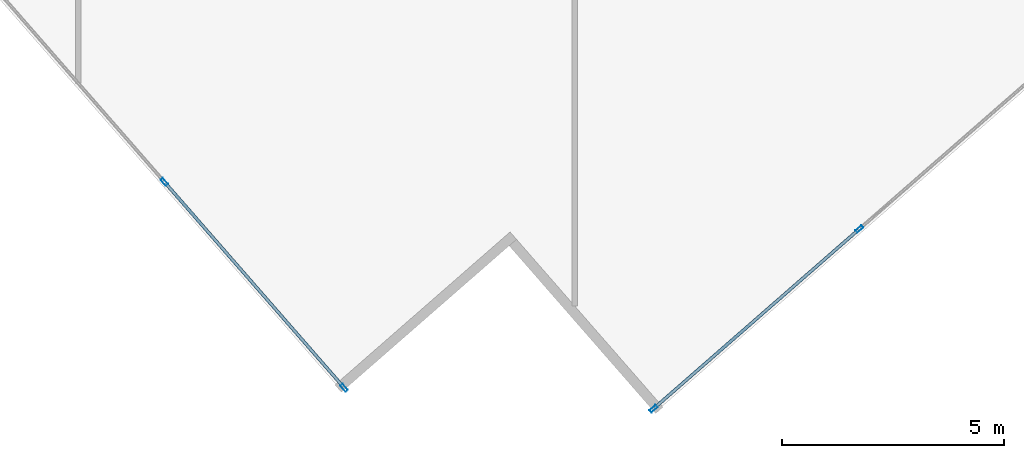
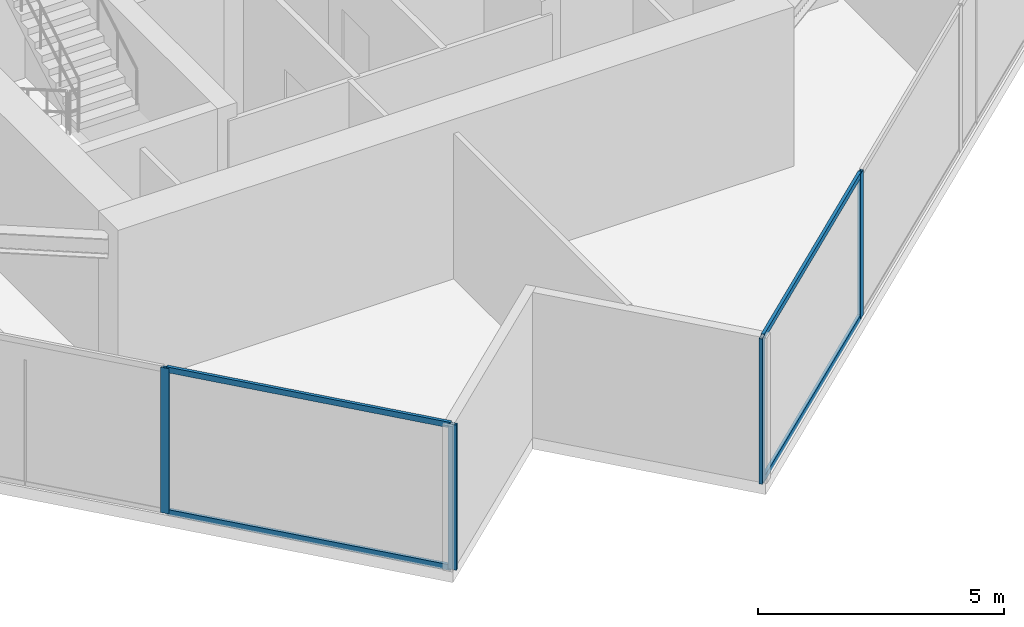
# One storey, part 3 of 24: 8 members, 2 elements without a shape of their own.
"""IFC4 building model written with IfcOpenShell, lengths in metres."""

from ifc_helpers import new_model, si_unit, direction, frame, origin, origin_2d, place, context, subcontext, project, spatial, hollow_rectangle, extrude, source, transform, mapped, material, material_profile, profile_set, type_object, type_shapes, element, aggregate, save


model = new_model("IFC4")

# Units and contexts
model_context = context("Model", 3, precision=1e-05, world=origin(), true_north=direction((0.0, 1.0)))
body_context = subcontext(model_context, "Body", "Model", "MODEL_VIEW")
ifc_project = project(units=[si_unit("LENGTHUNIT", "METRE"), si_unit("AREAUNIT", "SQUARE_METRE"), si_unit("VOLUMEUNIT", "CUBIC_METRE"), si_unit("PLANEANGLEUNIT", "RADIAN"), si_unit("MASSUNIT", "GRAM", prefix="KILO")], contexts=[model_context])

# Site, building, storey
site_placement = place(None, origin())
site = spatial("IfcSite", under=ifc_project, at=site_placement, CompositionType="ELEMENT")
building_placement = place(site_placement, origin())
building = spatial("IfcBuilding", under=site, at=building_placement, Name="Krantzveldt Concourse Tower", CompositionType="ELEMENT")
storey_placement = place(building_placement, frame((0.0, 0.0, 258.64990234375)))
storey = spatial("IfcBuildingStorey", under=building, at=storey_placement, Name="L63", CompositionType="ELEMENT", Elevation=258.64990234375)

# Curtain wall, members
ifc_material = material(Name="Anodised aluminium 6063-T6", Category="aluminium")
curtain_wall_type = type_object("IfcCurtainWallType", Name="CW3", PredefinedType="USERDEFINED", material=ifc_material)
curtain_wall_1_placement = place(storey_placement, origin())
curtain_wall_1 = element("IfcCurtainWall", 1, at=curtain_wall_1_placement, inside=storey, type_object=curtain_wall_type, Name="CW-L63-F04", ObjectType="UNITISED CURTAIN WALL", PredefinedType="USERDEFINED")
ifc_material_profile_1 = material_profile(ifc_material, hollow_rectangle(XDim=0.070068359375, YDim=0.179931640625, WallThickness=0.0048828125, at=origin_2d()), Name="Anodised aluminium 6063-T6", Category="aluminium")
ifc_profile_set_1 = profile_set([ifc_material_profile_1], Name="Anodised aluminium 6063-T6 - ALU-MULL 180x70x5")
member_type_1 = type_object("IfcMemberType", Name="CW-MUL-180", PredefinedType="MULLION", material=ifc_profile_set_1)
shared_shape_1 = source(origin(), body_context, "Body", "SweptSolid", [
    extrude(hollow_rectangle(XDim=0.070068359375, YDim=0.179931640625, WallThickness=0.0048828125, at=origin_2d()), origin(), (0.0, 0.0, 1.0), 3.60009765625),
])
type_shapes(member_type_1, [shared_shape_1])
member_1_placement = place(storey_placement, frame((26.7421875, 6.270751953125, 0.0), z_axis=(0.0, 0.0, 1.0), x_axis=(0.753276529034, 0.657703938567, 0.0)))
member_1 = element("IfcMember", 2, at=member_1_placement, type_object=member_type_1, Name="CW-Z34 mullion 5", PredefinedType="MULLION", context=body_context, shape_type="MappedRepresentation", body=[
    mapped(shared_shape_1, transform((0.0, 0.0, 0.0), x_axis=(1.0, 0.0, 0.0), y_axis=(0.0, 1.0, 0.0), z_axis=(0.0, 0.0, 1.0), scale=1.0)),
])
member_2_placement = place(storey_placement, frame((30.797119140625, 1.626953125, 0.0), z_axis=(0.0, 0.0, 1.0), x_axis=(0.753276529034, 0.657703938567, 0.0)))
member_2 = element("IfcMember", 3, at=member_2_placement, type_object=member_type_1, Name="CW-Z34 mullion 6", PredefinedType="MULLION", context=body_context, shape_type="MappedRepresentation", body=[
    mapped(shared_shape_1, transform((0.0, 0.0, 0.0), x_axis=(1.0, 0.0, 0.0), y_axis=(0.0, 1.0, 0.0), z_axis=(0.0, 0.0, 1.0), scale=1.0)),
])

curtain_wall_2_placement = place(storey_placement, origin())
curtain_wall_2 = element("IfcCurtainWall", 4, at=curtain_wall_2_placement, inside=storey, type_object=curtain_wall_type, Name="CW-L63-F07", ObjectType="UNITISED CURTAIN WALL", PredefinedType="USERDEFINED")
member_3_placement = place(storey_placement, frame((37.7744140625, 1.154296875, 0.0), z_axis=(0.0, 0.0, 1.0), x_axis=(-0.657703938567, 0.753276529034, 0.0)))
member_3 = element("IfcMember", 5, at=member_3_placement, type_object=member_type_1, Name="CW-Z34 mullion 1", PredefinedType="MULLION", context=body_context, shape_type="MappedRepresentation", body=[
    mapped(shared_shape_1, transform((0.0, 0.0, 0.0), x_axis=(1.0, 0.0, 0.0), y_axis=(0.0, 1.0, 0.0), z_axis=(0.0, 0.0, 1.0), scale=1.0)),
])
member_4_placement = place(storey_placement, frame((42.418212890625, 5.208984375, 0.0), z_axis=(0.0, 0.0, 1.0), x_axis=(-0.657703938567, 0.753276529034, 0.0)))
member_4 = element("IfcMember", 6, at=member_4_placement, type_object=member_type_1, Name="CW-Z34 mullion 2", PredefinedType="MULLION", context=body_context, shape_type="MappedRepresentation", body=[
    mapped(shared_shape_1, transform((0.0, 0.0, 0.0), x_axis=(1.0, 0.0, 0.0), y_axis=(0.0, 1.0, 0.0), z_axis=(0.0, 0.0, 1.0), scale=1.0)),
])
ifc_material_profile_2 = material_profile(ifc_material, hollow_rectangle(XDim=0.070068359375, YDim=0.139892578125, WallThickness=0.0048828125, at=origin_2d()), Name="Anodised aluminium 6063-T6", Category="aluminium")
ifc_profile_set_2 = profile_set([ifc_material_profile_2], Name="Anodised aluminium 6063-T6 - ALU-TRAN 140x70x5")
member_type_2 = type_object("IfcMemberType", Name="CW-TRN-150", PredefinedType="USERDEFINED", material=ifc_profile_set_2)
shared_shape_2 = source(origin(), body_context, "Body", "SweptSolid", [
    extrude(hollow_rectangle(XDim=0.070068359375, YDim=0.139892578125, WallThickness=0.0048828125, at=origin_2d()), origin(), (0.0, 0.0, 1.0), 6.094970703125),
])
member_5_placement = place(storey_placement, frame((37.80078125, 1.17724609375, 0.03515625), z_axis=(0.753258665615, 0.657724397203, 0.0), x_axis=(-0.657724397203, 0.753258665615, 0.0)))
member_5 = element("IfcMember", 7, at=member_5_placement, type_object=member_type_2, Name="CW-Z34 transom 1.1", ObjectType="TRANSOM", PredefinedType="USERDEFINED", context=body_context, shape_type="MappedRepresentation", body=[
    mapped(shared_shape_2, transform((0.0, 0.0, 0.0), x_axis=(1.0, 0.0, 0.0), y_axis=(0.0, 1.0, 0.0), z_axis=(0.0, 0.0, 1.0), scale=1.0)),
])
member_6_placement = place(storey_placement, frame((37.80078125, 1.17724609375, 3.565185546875), z_axis=(0.753258665615, 0.657724397203, 0.0), x_axis=(-0.657724397203, 0.753258665615, 0.0)))
member_6 = element("IfcMember", 8, at=member_6_placement, type_object=member_type_2, Name="CW-Z34 transom 1.2", ObjectType="TRANSOM", PredefinedType="USERDEFINED", context=body_context, shape_type="MappedRepresentation", body=[
    mapped(shared_shape_2, transform((0.0, 0.0, 0.0), x_axis=(1.0, 0.0, 0.0), y_axis=(0.0, 1.0, 0.0), z_axis=(0.0, 0.0, 1.0), scale=1.0)),
])
aggregate(curtain_wall_2, [member_3, member_4, member_5, member_6])

# Member
shared_shape_3 = source(origin(), body_context, "Body", "SweptSolid", [
    extrude(hollow_rectangle(XDim=0.070068359375, YDim=0.139892578125, WallThickness=0.0048828125, at=origin_2d()), origin(), (0.0, 0.0, 1.0), 6.0947265625),
])
type_shapes(member_type_2, [shared_shape_2, shared_shape_3])
member_7_placement = place(storey_placement, frame((26.765380859375, 6.244384765625, 0.03515625), z_axis=(0.657701668417, -0.753278511151, 0.0), x_axis=(0.753278511151, 0.657701668417, 0.0)))
member_7 = element("IfcMember", 9, at=member_7_placement, type_object=member_type_2, Name="CW-Z34 transom 5.1", ObjectType="TRANSOM", PredefinedType="USERDEFINED", context=body_context, shape_type="MappedRepresentation", body=[
    mapped(shared_shape_3, transform((0.0, 0.0, 0.0), x_axis=(1.0, 0.0, 0.0), y_axis=(0.0, 1.0, 0.0), z_axis=(0.0, 0.0, 1.0), scale=1.0)),
])

member_8_placement = place(storey_placement, frame((26.765380859375, 6.244384765625, 3.565185546875), z_axis=(0.657701668417, -0.753278511151, 0.0), x_axis=(0.753278511151, 0.657701668417, 0.0)))
member_8 = element("IfcMember", 10, at=member_8_placement, type_object=member_type_2, Name="CW-Z34 transom 5.2", ObjectType="TRANSOM", PredefinedType="USERDEFINED", context=body_context, shape_type="MappedRepresentation", body=[
    mapped(shared_shape_3, transform((0.0, 0.0, 0.0), x_axis=(1.0, 0.0, 0.0), y_axis=(0.0, 1.0, 0.0), z_axis=(0.0, 0.0, 1.0), scale=1.0)),
])

aggregate(curtain_wall_1, [member_1, member_2, member_7, member_8])

save(model, "model.ifc")
